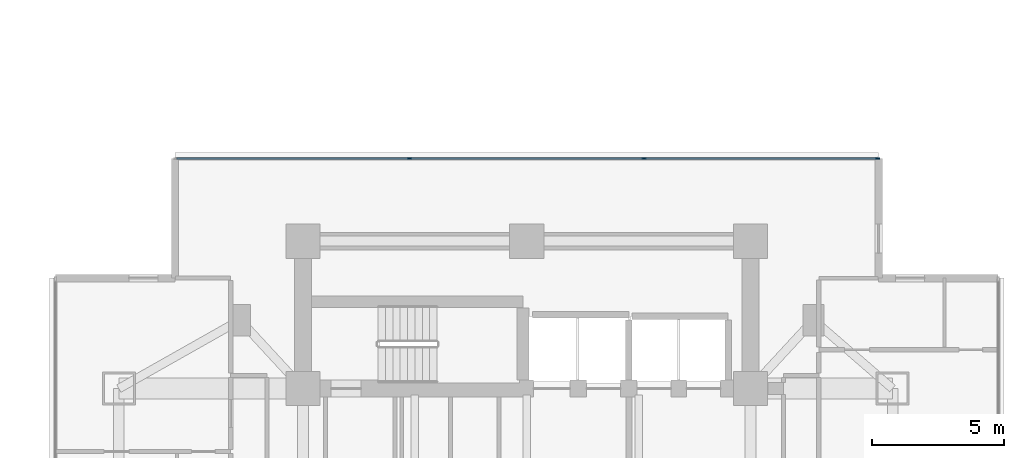
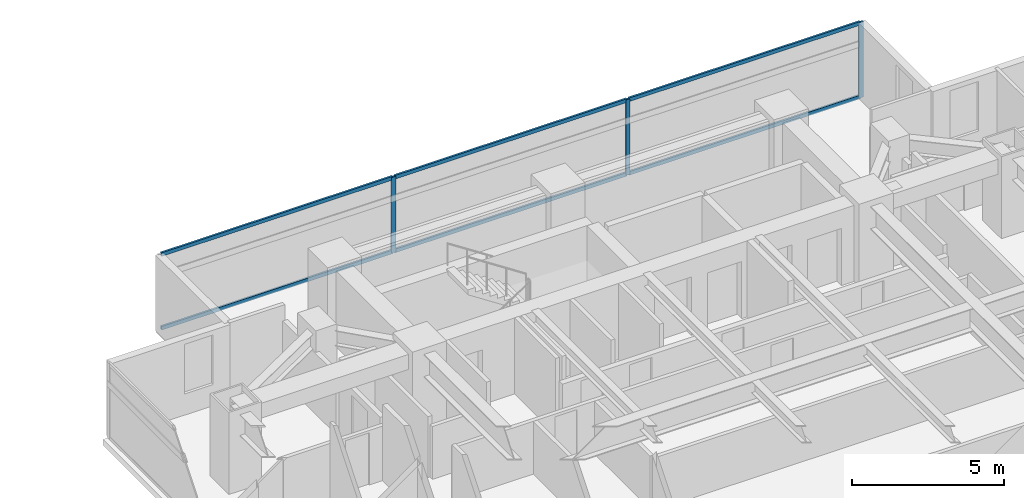
# One storey, part 11 of 25: 9 members, 1 element without a shape of its own.
"""IFC4 building model written with IfcOpenShell, lengths in metres."""

from ifc_helpers import new_model, si_unit, direction, frame, origin, origin_2d, place, context, subcontext, project, spatial, rectangle, extrude, material, material_profile, profile_set, type_object, element, aggregate, save


model = new_model("IFC4")

# Units and contexts
model_context = context("Model", 3, precision=1e-05, world=origin(), true_north=direction((0.0, 1.0)))
body_context = subcontext(model_context, "Body", "Model", "MODEL_VIEW")
ifc_project = project(units=[si_unit("LENGTHUNIT", "METRE"), si_unit("AREAUNIT", "SQUARE_METRE"), si_unit("VOLUMEUNIT", "CUBIC_METRE"), si_unit("PLANEANGLEUNIT", "RADIAN"), si_unit("MASSUNIT", "GRAM", prefix="KILO")], contexts=[model_context])

# Site, building, storey
site_placement = place(None, origin())
site = spatial("IfcSite", under=ifc_project, at=site_placement, CompositionType="ELEMENT")
building_placement = place(site_placement, origin())
building = spatial("IfcBuilding", under=site, at=building_placement, Name="Mirazonda Arch Towers", CompositionType="ELEMENT")
storey_placement = place(building_placement, frame((0.0, 0.0, 58.699951171875)))
storey = spatial("IfcBuildingStorey", under=building, at=storey_placement, Name="L16", CompositionType="ELEMENT", Elevation=58.699951171875)

# Curtain wall, members
ifc_material_1 = material(Name="Anodised Aluminium and Low-E Glass", Category="aluminium")
curtain_wall_type = type_object("IfcCurtainWallType", Name="CW-HTL-UNIT", PredefinedType="NOTDEFINED", material=ifc_material_1)
curtain_wall_placement = place(storey_placement, origin())
curtain_wall = element("IfcCurtainWall", 1, at=curtain_wall_placement, inside=storey, type_object=curtain_wall_type, Name="L16 T2 N Facade CW-L16-T2-N", PredefinedType="NOTDEFINED")
ifc_material_2 = material(Name="Anodised Aluminium Alloy", Category="aluminium")
ifc_material_profile_1 = material_profile(ifc_material_2, rectangle(XDim=0.074951171875, YDim=0.1650390625, at=origin_2d()), Name="ALU-MULL-75x165")
ifc_profile_set_1 = profile_set([ifc_material_profile_1], Name="Anodised Aluminium Alloy")
member_type_1 = type_object("IfcMemberType", Name="MULL-CW-HTL-UNIT", PredefinedType="MULLION", material=ifc_profile_set_1)
member_1_placement = place(storey_placement, frame((72.043212890625, 43.942626953125, 0.0), z_axis=(0.0, 0.0, 1.0), x_axis=(0.0, 1.0, 0.0)))
member_1 = element("IfcMember", 2, at=member_1_placement, type_object=member_type_1, Name="CW-112 mullion 2", PredefinedType="MULLION", context=body_context, shape_type="SweptSolid", body=[
    extrude(rectangle(XDim=0.074951171875, YDim=0.1650390625, at=origin_2d()), origin(), (0.0, 0.0, 1.0), 3.0400390625),
])
member_2_placement = place(storey_placement, frame((80.956787109375, 43.942626953125, 0.0), z_axis=(0.0, 0.0, 1.0), x_axis=(0.0, 1.0, 0.0)))
member_2 = element("IfcMember", 3, at=member_2_placement, type_object=member_type_1, Name="CW-112 mullion 3", PredefinedType="MULLION", context=body_context, shape_type="SweptSolid", body=[
    extrude(rectangle(XDim=0.074951171875, YDim=0.1650390625, at=origin_2d()), origin(), (0.0, 0.0, 1.0), 3.0400390625),
])
member_3_placement = place(storey_placement, frame((89.83251953125, 43.942626953125, 0.0), z_axis=(0.0, 0.0, 1.0), x_axis=(0.0, 1.0, 0.0)))
member_3 = element("IfcMember", 4, at=member_3_placement, type_object=member_type_1, Name="CW-112 mullion 4", PredefinedType="MULLION", context=body_context, shape_type="SweptSolid", body=[
    extrude(rectangle(XDim=0.074951171875, YDim=0.1650390625, at=origin_2d()), origin(), (0.0, 0.0, 1.0), 3.0400390625),
])
ifc_material_profile_2 = material_profile(ifc_material_2, rectangle(XDim=0.074951171875, YDim=0.14501953125, at=origin_2d()), Name="ALU-TRAN-75x145")
ifc_profile_set_2 = profile_set([ifc_material_profile_2], Name="Anodised Aluminium Alloy")
member_type_2 = type_object("IfcMemberType", Name="TRAN-CW-HTL-UNIT", PredefinedType="USERDEFINED", material=ifc_profile_set_2)
member_4_placement = place(storey_placement, frame((63.205078125, 43.942626953125, 0.03759765625), z_axis=(1.0, 0.0, 0.0), x_axis=(0.0, 1.0, 0.0)))
member_4 = element("IfcMember", 5, at=member_4_placement, type_object=member_type_2, Name="CW-112 transom 1.1", ObjectType="TRANSOM", PredefinedType="USERDEFINED", context=body_context, shape_type="SweptSolid", body=[
    extrude(rectangle(XDim=0.074951171875, YDim=0.14501953125, at=origin_2d()), origin(), (0.0, 0.0, 1.0), 8.80078125),
])
member_5_placement = place(storey_placement, frame((63.205078125, 43.942626953125, 3.00244140625), z_axis=(1.0, 0.0, 0.0), x_axis=(0.0, 1.0, 0.0)))
member_5 = element("IfcMember", 6, at=member_5_placement, type_object=member_type_2, Name="CW-112 transom 1.2", ObjectType="TRANSOM", PredefinedType="USERDEFINED", context=body_context, shape_type="SweptSolid", body=[
    extrude(rectangle(XDim=0.074951171875, YDim=0.14501953125, at=origin_2d()), origin(), (0.0, 0.0, 1.0), 8.80078125),
])
member_6_placement = place(storey_placement, frame((72.080810546875, 43.942626953125, 0.03759765625), z_axis=(1.0, 0.0, 0.0), x_axis=(0.0, 1.0, 0.0)))
member_6 = element("IfcMember", 7, at=member_6_placement, type_object=member_type_2, Name="CW-112 transom 2.1", ObjectType="TRANSOM", PredefinedType="USERDEFINED", context=body_context, shape_type="SweptSolid", body=[
    extrude(rectangle(XDim=0.074951171875, YDim=0.14501953125, at=origin_2d()), origin(), (0.0, 0.0, 1.0), 8.83837890625),
])
member_7_placement = place(storey_placement, frame((72.080810546875, 43.942626953125, 3.00244140625), z_axis=(1.0, 0.0, 0.0), x_axis=(0.0, 1.0, 0.0)))
member_7 = element("IfcMember", 8, at=member_7_placement, type_object=member_type_2, Name="CW-112 transom 2.2", ObjectType="TRANSOM", PredefinedType="USERDEFINED", context=body_context, shape_type="SweptSolid", body=[
    extrude(rectangle(XDim=0.074951171875, YDim=0.14501953125, at=origin_2d()), origin(), (0.0, 0.0, 1.0), 8.83837890625),
])
member_8_placement = place(storey_placement, frame((80.994140625, 43.942626953125, 0.03759765625), z_axis=(1.0, 0.0, 0.0), x_axis=(0.0, 1.0, 0.0)))
member_8 = element("IfcMember", 9, at=member_8_placement, type_object=member_type_2, Name="CW-112 transom 3.1", ObjectType="TRANSOM", PredefinedType="USERDEFINED", context=body_context, shape_type="SweptSolid", body=[
    extrude(rectangle(XDim=0.074951171875, YDim=0.14501953125, at=origin_2d()), origin(), (0.0, 0.0, 1.0), 8.80078125),
])
member_9_placement = place(storey_placement, frame((80.994140625, 43.942626953125, 3.00244140625), z_axis=(1.0, 0.0, 0.0), x_axis=(0.0, 1.0, 0.0)))
member_9 = element("IfcMember", 10, at=member_9_placement, type_object=member_type_2, Name="CW-112 transom 3.2", ObjectType="TRANSOM", PredefinedType="USERDEFINED", context=body_context, shape_type="SweptSolid", body=[
    extrude(rectangle(XDim=0.074951171875, YDim=0.14501953125, at=origin_2d()), origin(), (0.0, 0.0, 1.0), 8.80078125),
])
aggregate(curtain_wall, [member_1, member_2, member_3, member_4, member_5, member_6, member_7, member_8, member_9])

save(model, "model.ifc")
